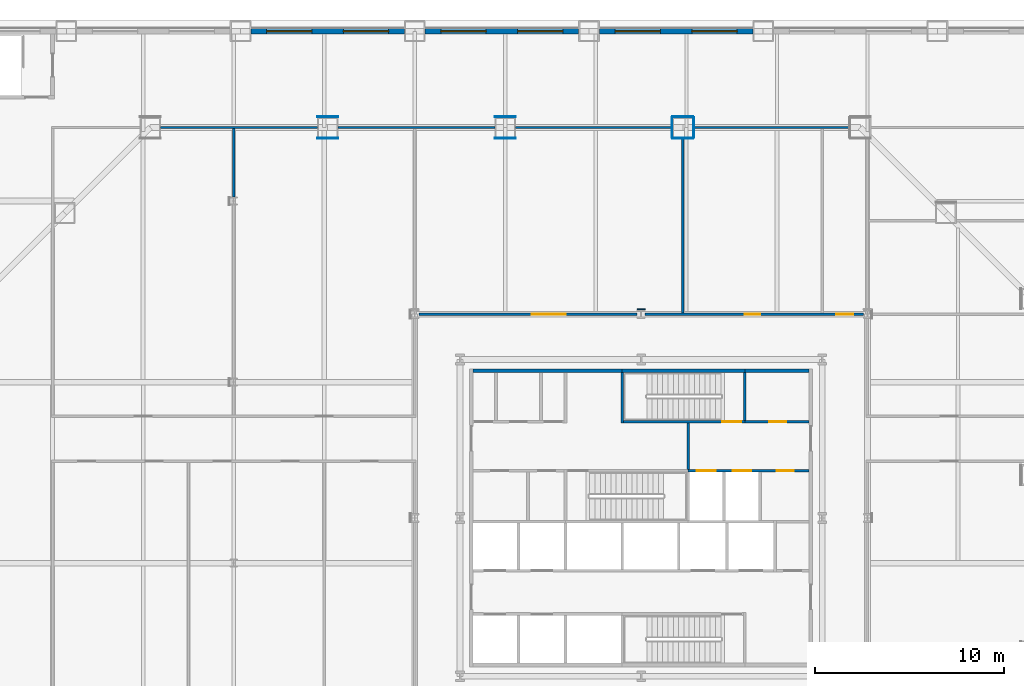
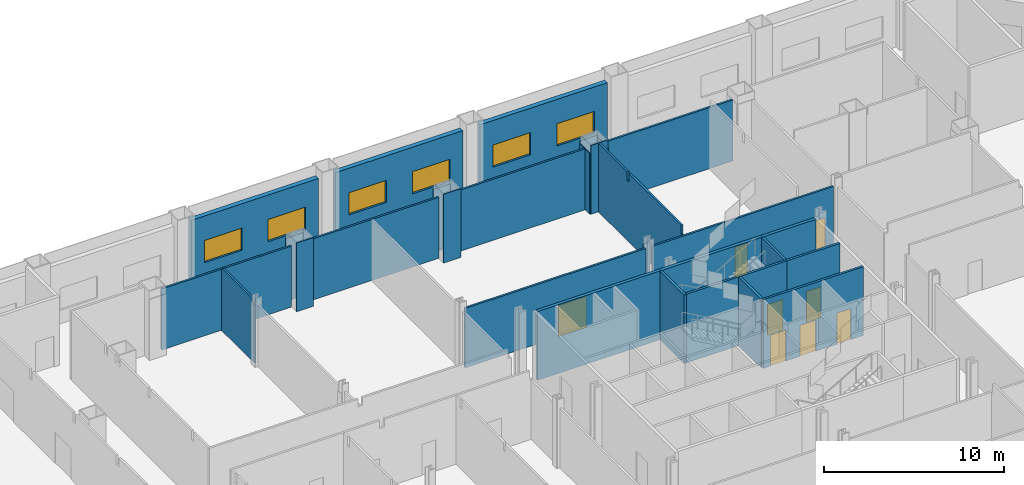
# One storey, part 13 of 22: 29 walls, 8 doors, 6 windows, 14 openings.
"""IFC4 building model written with IfcOpenShell, lengths in metres."""

from ifc_helpers import new_model, si_unit, direction, frame, frame_2d, origin, place, context, subcontext, project, spatial, polyline, rectangle, outline, extrude, material, layer, layer_set, type_object, element, fill, save


model = new_model("IFC4")

# Units and contexts
model_context = context("Model", 3, precision=1e-05, world=origin(), true_north=direction((0.0, 1.0)))
body_context = subcontext(model_context, "Body", "Model", "MODEL_VIEW")
ifc_project = project(units=[si_unit("LENGTHUNIT", "METRE"), si_unit("AREAUNIT", "SQUARE_METRE"), si_unit("VOLUMEUNIT", "CUBIC_METRE"), si_unit("PLANEANGLEUNIT", "RADIAN"), si_unit("MASSUNIT", "GRAM", prefix="KILO")], contexts=[model_context])

# Site, building, storey
site_placement = place(None, origin())
site = spatial("IfcSite", under=ifc_project, at=site_placement, CompositionType="ELEMENT")
building_placement = place(site_placement, origin())
building = spatial("IfcBuilding", under=site, at=building_placement, Name="Cairn Pilgrim Tower", CompositionType="ELEMENT")
storey_placement = place(building_placement, frame((0.0, 0.0, 35.39990234375)))
storey = spatial("IfcBuildingStorey", under=building, at=storey_placement, Name="L06", CompositionType="ELEMENT", Elevation=35.39990234375)

# Walls
ifc_material_1 = material(Name="Concrete C32/40", Category="concrete")
ifc_layer_1 = layer(ifc_material_1, 0.199951171875)
ifc_layer_set_1 = layer_set([ifc_layer_1], Name="CORE OUTER WALL 200 EI 120")
wall_type_1 = type_object("IfcWallType", Name="CORE OUTER WALL 200 EI 120", PredefinedType="SOLIDWALL", material=ifc_layer_set_1)
wall_1_placement = place(storey_placement, frame((-1.699951171875, 10.199951171875, 0.0), z_axis=(0.0, 0.0, 1.0), x_axis=(1.0, 0.0, 0.0)))
element("IfcWall", 1, at=wall_1_placement, inside=storey, type_object=wall_type_1, Name="CW:L06:H11-1", PredefinedType="SOLIDWALL", context=body_context, shape_type="SweptSolid", body=[
    extrude(rectangle(XDim=7.89990234375, YDim=0.199951171875, at=frame_2d((3.949951171875, 0.0))), origin(), (0.0, 0.0, 1.0), 4.650146484375),
])
wall_2_placement = place(storey_placement, frame((12.699951171875, 10.199951171875, 0.0), z_axis=(0.0, 0.0, 1.0), x_axis=(1.0, 0.0, 0.0)))
element("IfcWall", 2, at=wall_2_placement, inside=storey, type_object=wall_type_1, Name="CW:L06:H11-3", PredefinedType="SOLIDWALL", context=body_context, shape_type="SweptSolid", body=[
    extrude(rectangle(XDim=3.400146484375, YDim=0.199951171875, at=frame_2d((1.7001953125, 0.0))), origin(), (0.0, 0.0, 1.0), 4.650146484375),
])

# Wall, openings, doors
ifc_layer_2 = layer(ifc_material_1, 0.14990234375)
ifc_layer_set_2 = layer_set([ifc_layer_2], Name="CORE SHAFT WALL 150 EI 120")
wall_type_2 = type_object("IfcWallType", Name="CORE SHAFT WALL 150 EI 120", PredefinedType="SOLIDWALL", material=ifc_layer_set_2)
wall_3_placement = place(storey_placement, frame((9.699951171875, 4.89990234375, 0.0), z_axis=(0.0, 0.0, 1.0), x_axis=(1.0, 0.0, 0.0)))
wall_3 = element("IfcWall", 3, at=wall_3_placement, inside=storey, type_object=wall_type_2, Name="CW:L06:H08-2", PredefinedType="SOLIDWALL", context=body_context, shape_type="SweptSolid", body=[
    extrude(rectangle(XDim=6.400146484375, YDim=0.14990234375, at=frame_2d((3.2001953125, 0.0))), origin(), (0.0, 0.0, 1.0), 4.650146484375),
])
opening_1_placement = place(wall_3_placement, frame((0.449951171875, 0.0, 0.0)))
opening_1 = element("IfcOpeningElement", 4, at=opening_1_placement, cuts=wall_3, Name="Opening LD-FF1", PredefinedType="OPENING", context=body_context, shape_type="SweptSolid", body=[
    extrude(rectangle(XDim=1.0, YDim=2.10009765625, at=frame_2d((0.5, 1.050048828125))), frame((0.0, 0.0849609375, 0.0), z_axis=(0.0, -1.0, 0.0), x_axis=(1.0, 0.0, 0.0)), (0.0, 0.0, 1.0), 0.169921875),
])
opening_2_placement = place(wall_3_placement, frame((2.35009765625, 0.0, 0.0)))
opening_2 = element("IfcOpeningElement", 5, at=opening_2_placement, cuts=wall_3, Name="Opening LD-FF2", PredefinedType="OPENING", context=body_context, shape_type="SweptSolid", body=[
    extrude(rectangle(XDim=1.0, YDim=2.10009765625, at=frame_2d((0.5, 1.050048828125))), frame((0.0, 0.0849609375, 0.0), z_axis=(0.0, -1.0, 0.0), x_axis=(1.0, 0.0, 0.0)), (0.0, 0.0, 1.0), 0.169921875),
])
opening_3_placement = place(wall_3_placement, frame((4.699951171875, 0.0, 0.0)))
opening_3 = element("IfcOpeningElement", 6, at=opening_3_placement, cuts=wall_3, Name="Opening RD-R3E", PredefinedType="OPENING", context=body_context, shape_type="SweptSolid", body=[
    extrude(rectangle(XDim=0.89990234375, YDim=2.10009765625, at=frame_2d((0.449951171875, 1.050048828125))), frame((0.0, 0.0849609375, 0.0), z_axis=(0.0, -1.0, 0.0), x_axis=(1.0, 0.0, 0.0)), (0.0, 0.0, 1.0), 0.169921875),
])
ifc_material_2 = material(Name="Stainless steel", Category="steel")
door_type_1 = type_object("IfcDoorType", Name="LIFT LANDING DOOR FIRE 1000x2100", OperationType="DOUBLE_DOOR_SLIDING", PredefinedType="DOOR", material=ifc_material_2)
door_1_placement = place(opening_1_placement, origin())
door_1 = element("IfcDoor", 7, at=door_1_placement, inside=storey, type_object=door_type_1, Name="LANDING DOOR FF1", OperationType="DOUBLE_DOOR_SLIDING", OverallHeight=2.10009765625, OverallWidth=1.0, PredefinedType="DOOR", context=body_context, shape_type="SweptSolid", body=[
    extrude(rectangle(XDim=1.0, YDim=2.10009765625, at=frame_2d((0.5, 1.050048828125))), frame((0.0, 0.02490234375, 0.0), z_axis=(0.0, -1.0, 0.0), x_axis=(1.0, 0.0, 0.0)), (0.0, 0.0, 1.0), 0.050048828125),
])
fill(opening_1, door_1)
door_2_placement = place(opening_2_placement, origin())
door_2 = element("IfcDoor", 8, at=door_2_placement, inside=storey, type_object=door_type_1, Name="LANDING DOOR FF2", OperationType="DOUBLE_DOOR_SLIDING", OverallHeight=2.10009765625, OverallWidth=1.0, PredefinedType="DOOR", context=body_context, shape_type="SweptSolid", body=[
    extrude(rectangle(XDim=1.0, YDim=2.10009765625, at=frame_2d((0.5, 1.050048828125))), frame((0.0, 0.02490234375, 0.0), z_axis=(0.0, -1.0, 0.0), x_axis=(1.0, 0.0, 0.0)), (0.0, 0.0, 1.0), 0.050048828125),
])
fill(opening_2, door_2)
ifc_material_3 = material(Name="Painted steel", Category="steel")
door_type_2 = type_object("IfcDoorType", Name="SERVICE ROOM DOOR 900x2100", OperationType="SINGLE_SWING_LEFT", PredefinedType="DOOR", material=ifc_material_3)
door_3_placement = place(opening_3_placement, origin())
door_3 = element("IfcDoor", 9, at=door_3_placement, inside=storey, type_object=door_type_2, Name="RD-R3E", OperationType="SINGLE_SWING_RIGHT", OverallHeight=2.10009765625, OverallWidth=0.89990234375, PredefinedType="DOOR", context=body_context, shape_type="SweptSolid", body=[
    extrude(rectangle(XDim=0.89990234375, YDim=2.10009765625, at=frame_2d((0.449951171875, 1.050048828125))), frame((0.0, 0.02490234375, 0.0), z_axis=(0.0, -1.0, 0.0), x_axis=(1.0, 0.0, 0.0)), (0.0, 0.0, 1.0), 0.050048828125),
])
fill(opening_3, door_3)

# Wall, opening, door
wall_4_placement = place(storey_placement, frame((12.699951171875, 7.5, 0.0), z_axis=(0.0, 0.0, 1.0), x_axis=(1.0, 0.0, 0.0)))
wall_4 = element("IfcWall", 10, at=wall_4_placement, inside=storey, type_object=wall_type_2, Name="CW:L06:H10-2", PredefinedType="SOLIDWALL", context=body_context, shape_type="SweptSolid", body=[
    extrude(rectangle(XDim=3.400146484375, YDim=0.14990234375, at=frame_2d((1.7001953125, 0.0))), origin(), (0.0, 0.0, 1.0), 4.650146484375),
])
opening_4_placement = place(wall_4_placement, frame((1.300048828125, 0.0, 0.0)))
opening_4 = element("IfcOpeningElement", 11, at=opening_4_placement, cuts=wall_4, Name="Opening RD-R4E", PredefinedType="OPENING", context=body_context, shape_type="SweptSolid", body=[
    extrude(rectangle(XDim=0.89990234375, YDim=2.10009765625, at=frame_2d((0.449951171875, 1.050048828125))), frame((0.0, 0.0849609375, 0.0), z_axis=(0.0, -1.0, 0.0), x_axis=(1.0, 0.0, 0.0)), (0.0, 0.0, 1.0), 0.169921875),
])
door_4_placement = place(opening_4_placement, origin())
door_4 = element("IfcDoor", 12, at=door_4_placement, inside=storey, type_object=door_type_2, Name="RD-R4E", OperationType="SINGLE_SWING_LEFT", OverallHeight=2.10009765625, OverallWidth=0.89990234375, PredefinedType="DOOR", context=body_context, shape_type="SweptSolid", body=[
    extrude(rectangle(XDim=0.89990234375, YDim=2.10009765625, at=frame_2d((0.449951171875, 1.050048828125))), frame((0.0, 0.02490234375, 0.0), z_axis=(0.0, -1.0, 0.0), x_axis=(1.0, 0.0, 0.0)), (0.0, 0.0, 1.0), 0.050048828125),
])
fill(opening_4, door_4)

# Wall
wall_5_placement = place(storey_placement, frame((9.699951171875, 4.97509765625, 0.0), z_axis=(0.0, 0.0, 1.0), x_axis=(0.0, 1.0, 0.0)))
element("IfcWall", 13, at=wall_5_placement, inside=storey, type_object=wall_type_2, Name="CW:L06:V27", PredefinedType="SOLIDWALL", context=body_context, shape_type="SweptSolid", body=[
    extrude(rectangle(XDim=2.449951171875, YDim=0.14990234375, at=frame_2d((1.22509765625, 0.0))), origin(), (0.0, 0.0, 1.0), 4.650146484375),
])

# Wall, opening, door
ifc_material_4 = material(Name="Gypsum partition")
ifc_layer_3 = layer(ifc_material_4, 0.125)
ifc_layer_set_3 = layer_set([ifc_layer_3], Name="PARTITION 125 DRYWALL EI 60")
wall_type_3 = type_object("IfcWallType", Name="PARTITION 125 DRYWALL EI 60", PredefinedType="PARTITIONING", material=ifc_layer_set_3)
wall_6_placement = place(storey_placement, frame((-4.587890625, 13.199951171875, 0.0), z_axis=(0.0, 0.0, 1.0), x_axis=(1.0, 0.0, 0.0)))
wall_6 = element("IfcWall", 14, at=wall_6_placement, inside=storey, type_object=wall_type_3, Name="PARTITION W056", PredefinedType="PARTITIONING", context=body_context, shape_type="SweptSolid", body=[
    extrude(rectangle(XDim=11.575927734375, YDim=0.125, at=frame_2d((5.7880859375, 0.0))), origin(), (0.0, 0.0, 1.0), 4.030029296875),
])
opening_5_placement = place(wall_6_placement, frame((5.992919921875, 0.0, 0.0)))
opening_5 = element("IfcOpeningElement", 15, at=opening_5_placement, cuts=wall_6, Name="Opening 0608", PredefinedType="OPENING", context=body_context, shape_type="SweptSolid", body=[
    extrude(rectangle(XDim=1.800048828125, YDim=2.10009765625, at=frame_2d((0.89990234375, 1.050048828125))), frame((0.0, 0.072509765625, 0.0), z_axis=(0.0, -1.0, 0.0), x_axis=(1.0, 0.0, 0.0)), (0.0, 0.0, 1.0), 0.14501953125),
])
ifc_material_5 = material(Name="Timber door leaf", Category="wood")
door_type_3 = type_object("IfcDoorType", Name="DOOR PAIR 1800x2100 FD60S", OperationType="NOTDEFINED", PredefinedType="DOOR", material=ifc_material_5)
door_5_placement = place(opening_5_placement, frame((1.800048828125, 0.0, 0.0), z_axis=(0.0, 0.0, 1.0), x_axis=(-1.0, 0.0, 0.0)))
door_5 = element("IfcDoor", 16, at=door_5_placement, inside=storey, type_object=door_type_3, Name="DOOR 0608", OperationType="DOUBLE_DOOR_SINGLE_SWING", OverallHeight=2.10009765625, OverallWidth=1.800048828125, PredefinedType="DOOR", context=body_context, shape_type="SweptSolid", body=[
    extrude(rectangle(XDim=1.800048828125, YDim=2.10009765625, at=frame_2d((0.89990234375, 1.050048828125))), frame((0.0, 0.02490234375, 0.0), z_axis=(0.0, -1.0, 0.0), x_axis=(1.0, 0.0, 0.0)), (0.0, 0.0, 1.0), 0.050048828125),
])
fill(opening_5, door_5)

# Wall, openings, doors
wall_7_placement = place(storey_placement, frame((7.412109375, 13.199951171875, 0.0), z_axis=(0.0, 0.0, 1.0), x_axis=(1.0, 0.0, 0.0)))
wall_7 = element("IfcWall", 17, at=wall_7_placement, inside=storey, type_object=wall_type_3, Name="PARTITION W057", PredefinedType="PARTITIONING", context=body_context, shape_type="SweptSolid", body=[
    extrude(rectangle(XDim=11.575927734375, YDim=0.125, at=frame_2d((5.7880859375, 0.0))), origin(), (0.0, 0.0, 1.0), 4.030029296875),
])
opening_6_placement = place(wall_7_placement, frame((5.29296875, 0.0, 0.0)))
opening_6 = element("IfcOpeningElement", 18, at=opening_6_placement, cuts=wall_7, Name="Opening 0609", PredefinedType="OPENING", context=body_context, shape_type="SweptSolid", body=[
    extrude(rectangle(XDim=0.800048828125, YDim=2.10009765625, at=frame_2d((0.39990234375, 1.050048828125))), frame((0.0, 0.072509765625, 0.0), z_axis=(0.0, -1.0, 0.0), x_axis=(1.0, 0.0, 0.0)), (0.0, 0.0, 1.0), 0.14501953125),
])
opening_7_placement = place(wall_7_placement, frame((10.137939453125, 0.0, 0.0)))
opening_7 = element("IfcOpeningElement", 19, at=opening_7_placement, cuts=wall_7, Name="Opening 0610", PredefinedType="OPENING", context=body_context, shape_type="SweptSolid", body=[
    extrude(rectangle(XDim=0.89990234375, YDim=2.10009765625, at=frame_2d((0.449951171875, 1.050048828125))), frame((0.0, 0.072509765625, 0.0), z_axis=(0.0, -1.0, 0.0), x_axis=(1.0, 0.0, 0.0)), (0.0, 0.0, 1.0), 0.14501953125),
])
door_type_4 = type_object("IfcDoorType", Name="SERVICE DOOR 900x2100 FD30S", OperationType="NOTDEFINED", PredefinedType="DOOR", material=ifc_material_5)
door_6_placement = place(opening_7_placement, frame((0.89990234375, 0.0, 0.0), z_axis=(0.0, 0.0, 1.0), x_axis=(-1.0, 0.0, 0.0)))
door_6 = element("IfcDoor", 20, at=door_6_placement, inside=storey, type_object=door_type_4, Name="DOOR 0610", OperationType="SINGLE_SWING_LEFT", OverallHeight=2.10009765625, OverallWidth=0.89990234375, PredefinedType="DOOR", context=body_context, shape_type="SweptSolid", body=[
    extrude(rectangle(XDim=0.89990234375, YDim=2.10009765625, at=frame_2d((0.449951171875, 1.050048828125))), frame((0.0, 0.02490234375, 0.0), z_axis=(0.0, -1.0, 0.0), x_axis=(1.0, 0.0, 0.0)), (0.0, 0.0, 1.0), 0.050048828125),
])
fill(opening_7, door_6)
door_type_5 = type_object("IfcDoorType", Name="WC DOOR 800x2100 FD30S", OperationType="NOTDEFINED", PredefinedType="DOOR", material=ifc_material_5)
door_7_placement = place(opening_6_placement, frame((0.800048828125, 0.0, 0.0), z_axis=(0.0, 0.0, 1.0), x_axis=(-1.0, 0.0, 0.0)))
door_7 = element("IfcDoor", 21, at=door_7_placement, inside=storey, type_object=door_type_5, Name="DOOR 0609", OperationType="SINGLE_SWING_LEFT", OverallHeight=2.10009765625, OverallWidth=0.800048828125, PredefinedType="DOOR", context=body_context, shape_type="SweptSolid", body=[
    extrude(rectangle(XDim=0.800048828125, YDim=2.10009765625, at=frame_2d((0.39990234375, 1.050048828125))), frame((0.0, 0.02490234375, 0.0), z_axis=(0.0, -1.0, 0.0), x_axis=(1.0, 0.0, 0.0)), (0.0, 0.0, 1.0), 0.050048828125),
])
fill(opening_6, door_7)

# Walls
wall_8_placement = place(storey_placement, frame((9.409912109375, 13.262451171875, 0.0), z_axis=(0.0, 0.0, 1.0), x_axis=(0.0, 1.0, 0.0)))
element("IfcWall", 22, at=wall_8_placement, inside=storey, type_object=wall_type_3, Name="PARTITION W059", PredefinedType="PARTITIONING", context=body_context, shape_type="SweptSolid", body=[
    extrude(outline(polyline([(0.0, 0.0), (9.28759765625, 0.0), (9.28759765625, 4.650146484375), (6.04248046875, 4.650146484375), (6.04052734375, 4.080078125), (5.83251953125, 4.080078125), (5.83056640625, 4.650146484375), (0.08740234375, 4.650146484375), (0.08544921875, 4.030029296875), (0.0, 4.030029296875), (0.0, 0.0)])), frame((0.0, 0.0625, 0.0), z_axis=(0.0, -1.0, 0.0), x_axis=(1.0, 0.0, 0.0)), (0.0, 0.0, 1.0), 0.125),
])
wall_9_placement = place(storey_placement, frame((-14.39990234375, 19.41259765625, 0.0), z_axis=(0.0, 0.0, 1.0), x_axis=(0.0, 1.0, 0.0)))
element("IfcWall", 23, at=wall_9_placement, inside=storey, type_object=wall_type_3, Name="PARTITION W069", PredefinedType="PARTITIONING", context=body_context, shape_type="SweptSolid", body=[
    extrude(outline(polyline([(0.0, 0.0), (3.625, 0.0), (3.625, 4.130126953125), (3.53759765625, 4.130126953125), (3.535400390625, 4.22998046875), (0.0, 4.22998046875), (0.0, 0.0)])), frame((0.0, 0.0625, 0.0), z_axis=(0.0, -1.0, 0.0), x_axis=(1.0, 0.0, 0.0)), (0.0, 0.0, 1.0), 0.125),
])
for number, where, z_axis, x_axis, name in (
    (24, (-18.277099609375, 23.10009765625, 0.0), (0.0, 0.0, 1.0), (1.0, 0.0, 0.0), "PARTITION W071"),
    (25, (-8.863525390625, 23.10009765625, 0.0), (0.0, 0.0, 1.0), (1.0, 0.0, 0.0), "PARTITION W072"),
    (26, (0.550048828125, 23.10009765625, 0.0), (0.0, 0.0, 1.0), (1.0, 0.0, 0.0), "PARTITION W073"),
    (27, (9.963623046875, 23.10009765625, 0.0), (0.0, 0.0, 1.0), (1.0, 0.0, 0.0), "PARTITION W074"),
):
    element("IfcWall", number, at=place(storey_placement, frame(where, z_axis=z_axis, x_axis=x_axis)), inside=storey, type_object=wall_type_3, Name=name, PredefinedType="PARTITIONING", context=body_context, shape_type="SweptSolid", body=[
        extrude(rectangle(XDim=8.3134765625, YDim=0.125, at=frame_2d((4.15673828125, 0.0))), origin(), (0.0, 0.0, 1.0), 4.130126953125),
    ])
ifc_layer_4 = layer(ifc_material_4, 0.050048828125)
ifc_layer_set_4 = layer_set([ifc_layer_4], Name="PARTITION 50 DRYWALL EI 60")
wall_type_4 = type_object("IfcWallType", Name="PARTITION 50 DRYWALL EI 60", PredefinedType="PARTITIONING", material=ifc_layer_set_4)
wall_10_placement = place(storey_placement, frame((6.988037109375, 13.4619140625, 0.0), z_axis=(0.0, 0.0, 1.0), x_axis=(1.0, 0.0, 0.0)))
element("IfcWall", 28, at=wall_10_placement, inside=storey, type_object=wall_type_4, Name="COLUMN CASING WC35", PredefinedType="PARTITIONING", context=body_context, shape_type="SweptSolid", body=[
    extrude(rectangle(XDim=0.424072265625, YDim=0.050048828125, at=frame_2d((0.2119140625, 0.0))), origin(), (0.0, 0.0, 1.0), 4.130126953125),
])
for number, where, z_axis, x_axis, name in (
    (29, (9.988525390625, 22.550048828125, 0.0), (0.0, 0.0, 1.0), (0.0, 1.0, 0.0), "COLUMN CASING WC37"),
    (30, (8.838623046875, 22.550048828125, 0.0), (0.0, 0.0, 1.0), (0.0, 1.0, 0.0), "COLUMN CASING WC38"),
):
    element("IfcWall", number, at=place(storey_placement, frame(where, z_axis=z_axis, x_axis=x_axis)), inside=storey, type_object=wall_type_4, Name=name, PredefinedType="PARTITIONING", context=body_context, shape_type="SweptSolid", body=[
        extrude(rectangle(XDim=1.099853515625, YDim=0.050048828125, at=frame_2d((0.5498046875, 0.0))), origin(), (0.0, 0.0, 1.0), 4.130126953125),
    ])
wall_11_placement = place(storey_placement, frame((-9.963623046875, 22.52490234375, 0.0), z_axis=(0.0, 0.0, 1.0), x_axis=(1.0, 0.0, 0.0)))
element("IfcWall", 31, at=wall_11_placement, inside=storey, type_object=wall_type_4, Name="COLUMN CASING WC43", PredefinedType="PARTITIONING", context=body_context, shape_type="SweptSolid", body=[
    extrude(rectangle(XDim=1.10009765625, YDim=0.050048828125, at=frame_2d((0.550048828125, 0.0))), origin(), (0.0, 0.0, 1.0), 4.650146484375),
])
wall_12_placement = place(storey_placement, frame((-9.963623046875, 23.675048828125, 0.0), z_axis=(0.0, 0.0, 1.0), x_axis=(1.0, 0.0, 0.0)))
element("IfcWall", 32, at=wall_12_placement, inside=storey, type_object=wall_type_4, Name="COLUMN CASING WC44", PredefinedType="PARTITIONING", context=body_context, shape_type="SweptSolid", body=[
    extrude(rectangle(XDim=1.10009765625, YDim=0.050048828125, at=frame_2d((0.550048828125, 0.0))), origin(), (0.0, 0.0, 1.0), 4.27001953125),
])
wall_13_placement = place(storey_placement, frame((-0.550048828125, 22.52490234375, 0.0), z_axis=(0.0, 0.0, 1.0), x_axis=(1.0, 0.0, 0.0)))
element("IfcWall", 33, at=wall_13_placement, inside=storey, type_object=wall_type_4, Name="COLUMN CASING WC45", PredefinedType="PARTITIONING", context=body_context, shape_type="SweptSolid", body=[
    extrude(rectangle(XDim=1.10009765625, YDim=0.050048828125, at=frame_2d((0.550048828125, 0.0))), origin(), (0.0, 0.0, 1.0), 4.650146484375),
])
for number, where, z_axis, x_axis, name in (
    (34, (-0.550048828125, 23.675048828125, 0.0), (0.0, 0.0, 1.0), (1.0, 0.0, 0.0), "COLUMN CASING WC46"),
    (35, (8.863525390625, 23.675048828125, 0.0), (0.0, 0.0, 1.0), (1.0, 0.0, 0.0), "COLUMN CASING WC47"),
):
    element("IfcWall", number, at=place(storey_placement, frame(where, z_axis=z_axis, x_axis=x_axis)), inside=storey, type_object=wall_type_4, Name=name, PredefinedType="PARTITIONING", context=body_context, shape_type="SweptSolid", body=[
        extrude(rectangle(XDim=1.10009765625, YDim=0.050048828125, at=frame_2d((0.550048828125, 0.0))), origin(), (0.0, 0.0, 1.0), 4.27001953125),
    ])
wall_14_placement = place(storey_placement, frame((8.863525390625, 22.52490234375, 0.0), z_axis=(0.0, 0.0, 1.0), x_axis=(1.0, 0.0, 0.0)))
element("IfcWall", 36, at=wall_14_placement, inside=storey, type_object=wall_type_4, Name="COLUMN CASING WC48", PredefinedType="PARTITIONING", context=body_context, shape_type="SweptSolid", body=[
    extrude(rectangle(XDim=1.10009765625, YDim=0.050048828125, at=frame_2d((0.550048828125, 0.0))), origin(), (0.0, 0.0, 1.0), 4.650146484375),
])

# Wall, openings, windows
ifc_material_6 = material(Name="Concrete C35/45 backup wall with bronze aluminium cladding", Category="concrete")
ifc_layer_5 = layer(ifc_material_6, 0.300048828125)
ifc_layer_set_5 = layer_set([ifc_layer_5], Name="PODIUM WALL 300 BRONZE-CLAD")
wall_type_5 = type_object("IfcWallType", Name="PODIUM WALL 300 BRONZE-CLAD", PredefinedType="SOLIDWALL", material=ifc_layer_set_5)
wall_15_placement = place(storey_placement, frame((13.125732421875, 28.199951171875, 0.0), z_axis=(0.0, 0.0, 1.0), x_axis=(-1.0, 0.0, 0.0)))
wall_15 = element("IfcWall", 37, at=wall_15_placement, inside=storey, type_object=wall_type_5, Name="PODIUM EXTERNAL WALL N3-N4", PredefinedType="SOLIDWALL", context=body_context, shape_type="SweptSolid", body=[
    extrude(rectangle(XDim=8.137939453125, YDim=0.300048828125, at=frame_2d((4.06884765625, 0.0))), origin(), (0.0, 0.0, 1.0), 4.050048828125),
])
opening_8_placement = place(wall_15_placement, frame((0.83447265625, 0.0, 0.89990234375)))
opening_8 = element("IfcOpeningElement", 38, at=opening_8_placement, cuts=wall_15, Name="Opening PW15", PredefinedType="OPENING", context=body_context, shape_type="SweptSolid", body=[
    extrude(rectangle(XDim=2.39990234375, YDim=1.5, at=frame_2d((1.199951171875, 0.75))), frame((0.0, 0.16015625, 0.0), z_axis=(0.0, -1.0, 0.0), x_axis=(1.0, 0.0, 0.0)), (0.0, 0.0, 1.0), 0.320068359375),
])
opening_9_placement = place(wall_15_placement, frame((4.9033203125, 0.0, 0.89990234375)))
opening_9 = element("IfcOpeningElement", 39, at=opening_9_placement, cuts=wall_15, Name="Opening PW15", PredefinedType="OPENING", context=body_context, shape_type="SweptSolid", body=[
    extrude(rectangle(XDim=2.39990234375, YDim=1.5, at=frame_2d((1.199951171875, 0.75))), frame((0.0, 0.16015625, 0.0), z_axis=(0.0, -1.0, 0.0), x_axis=(1.0, 0.0, 0.0)), (0.0, 0.0, 1.0), 0.320068359375),
])
ifc_material_7 = material(Name="Bronze anodised aluminium frame with tinted low-E glass", Category="aluminium")
window_type = type_object("IfcWindowType", Name="PODIUM FIXED WINDOW 2400x1500", PartitioningType="SINGLE_PANEL", PredefinedType="WINDOW", material=ifc_material_7)
window_1_placement = place(opening_8_placement, origin())
window_1 = element("IfcWindow", 40, at=window_1_placement, inside=storey, type_object=window_type, Name="PODIUM WINDOW", OverallHeight=1.5, OverallWidth=2.39990234375, PartitioningType="SINGLE_PANEL", PredefinedType="WINDOW", context=body_context, shape_type="SweptSolid", body=[
    extrude(rectangle(XDim=2.39990234375, YDim=1.5, at=frame_2d((1.199951171875, 0.75))), frame((0.0, 0.030029296875, 0.0), z_axis=(0.0, -1.0, 0.0), x_axis=(1.0, 0.0, 0.0)), (0.0, 0.0, 1.0), 0.06005859375),
])
fill(opening_8, window_1)
window_2_placement = place(opening_9_placement, origin())
window_2 = element("IfcWindow", 41, at=window_2_placement, inside=storey, type_object=window_type, Name="PODIUM WINDOW", OverallHeight=1.5, OverallWidth=2.39990234375, PartitioningType="SINGLE_PANEL", PredefinedType="WINDOW", context=body_context, shape_type="SweptSolid", body=[
    extrude(rectangle(XDim=2.39990234375, YDim=1.5, at=frame_2d((1.199951171875, 0.75))), frame((0.0, 0.030029296875, 0.0), z_axis=(0.0, -1.0, 0.0), x_axis=(1.0, 0.0, 0.0)), (0.0, 0.0, 1.0), 0.06005859375),
])
fill(opening_9, window_2)

wall_16_placement = place(storey_placement, frame((3.887939453125, 28.199951171875, 0.0), z_axis=(0.0, 0.0, 1.0), x_axis=(-1.0, 0.0, 0.0)))
wall_16 = element("IfcWall", 42, at=wall_16_placement, inside=storey, type_object=wall_type_5, Name="PODIUM EXTERNAL WALL N4-N5", PredefinedType="SOLIDWALL", context=body_context, shape_type="SweptSolid", body=[
    extrude(rectangle(XDim=8.137939453125, YDim=0.300048828125, at=frame_2d((4.06884765625, 0.0))), origin(), (0.0, 0.0, 1.0), 4.050048828125),
])
opening_10_placement = place(wall_16_placement, frame((0.83447265625, 0.0, 0.89990234375)))
opening_10 = element("IfcOpeningElement", 43, at=opening_10_placement, cuts=wall_16, Name="Opening PW15", PredefinedType="OPENING", context=body_context, shape_type="SweptSolid", body=[
    extrude(rectangle(XDim=2.39990234375, YDim=1.5, at=frame_2d((1.199951171875, 0.75))), frame((0.0, 0.16015625, 0.0), z_axis=(0.0, -1.0, 0.0), x_axis=(1.0, 0.0, 0.0)), (0.0, 0.0, 1.0), 0.320068359375),
])
opening_11_placement = place(wall_16_placement, frame((4.9033203125, 0.0, 0.89990234375)))
opening_11 = element("IfcOpeningElement", 44, at=opening_11_placement, cuts=wall_16, Name="Opening PW15", PredefinedType="OPENING", context=body_context, shape_type="SweptSolid", body=[
    extrude(rectangle(XDim=2.39990234375, YDim=1.5, at=frame_2d((1.199951171875, 0.75))), frame((0.0, 0.16015625, 0.0), z_axis=(0.0, -1.0, 0.0), x_axis=(1.0, 0.0, 0.0)), (0.0, 0.0, 1.0), 0.320068359375),
])
window_3_placement = place(opening_10_placement, origin())
window_3 = element("IfcWindow", 45, at=window_3_placement, inside=storey, type_object=window_type, Name="PODIUM WINDOW", OverallHeight=1.5, OverallWidth=2.39990234375, PartitioningType="SINGLE_PANEL", PredefinedType="WINDOW", context=body_context, shape_type="SweptSolid", body=[
    extrude(rectangle(XDim=2.39990234375, YDim=1.5, at=frame_2d((1.199951171875, 0.75))), frame((0.0, 0.030029296875, 0.0), z_axis=(0.0, -1.0, 0.0), x_axis=(1.0, 0.0, 0.0)), (0.0, 0.0, 1.0), 0.06005859375),
])
fill(opening_10, window_3)
window_4_placement = place(opening_11_placement, origin())
window_4 = element("IfcWindow", 46, at=window_4_placement, inside=storey, type_object=window_type, Name="PODIUM WINDOW", OverallHeight=1.5, OverallWidth=2.39990234375, PartitioningType="SINGLE_PANEL", PredefinedType="WINDOW", context=body_context, shape_type="SweptSolid", body=[
    extrude(rectangle(XDim=2.39990234375, YDim=1.5, at=frame_2d((1.199951171875, 0.75))), frame((0.0, 0.030029296875, 0.0), z_axis=(0.0, -1.0, 0.0), x_axis=(1.0, 0.0, 0.0)), (0.0, 0.0, 1.0), 0.06005859375),
])
fill(opening_11, window_4)

wall_17_placement = place(storey_placement, frame((-5.35009765625, 28.199951171875, 0.0), z_axis=(0.0, 0.0, 1.0), x_axis=(-1.0, 0.0, 0.0)))
wall_17 = element("IfcWall", 47, at=wall_17_placement, inside=storey, type_object=wall_type_5, Name="PODIUM EXTERNAL WALL N5-N6", PredefinedType="SOLIDWALL", context=body_context, shape_type="SweptSolid", body=[
    extrude(rectangle(XDim=8.1376953125, YDim=0.300048828125, at=frame_2d((4.06884765625, 0.0))), origin(), (0.0, 0.0, 1.0), 4.050048828125),
])
opening_12_placement = place(wall_17_placement, frame((0.83447265625, 0.0, 0.89990234375)))
opening_12 = element("IfcOpeningElement", 48, at=opening_12_placement, cuts=wall_17, Name="Opening PW15", PredefinedType="OPENING", context=body_context, shape_type="SweptSolid", body=[
    extrude(rectangle(XDim=2.39990234375, YDim=1.5, at=frame_2d((1.199951171875, 0.75))), frame((0.0, 0.16015625, 0.0), z_axis=(0.0, -1.0, 0.0), x_axis=(1.0, 0.0, 0.0)), (0.0, 0.0, 1.0), 0.320068359375),
])
opening_13_placement = place(wall_17_placement, frame((4.9033203125, 0.0, 0.89990234375)))
opening_13 = element("IfcOpeningElement", 49, at=opening_13_placement, cuts=wall_17, Name="Opening PW15", PredefinedType="OPENING", context=body_context, shape_type="SweptSolid", body=[
    extrude(rectangle(XDim=2.39990234375, YDim=1.5, at=frame_2d((1.199951171875, 0.75))), frame((0.0, 0.16015625, 0.0), z_axis=(0.0, -1.0, 0.0), x_axis=(1.0, 0.0, 0.0)), (0.0, 0.0, 1.0), 0.320068359375),
])
window_5_placement = place(opening_12_placement, origin())
window_5 = element("IfcWindow", 50, at=window_5_placement, inside=storey, type_object=window_type, Name="PODIUM WINDOW", OverallHeight=1.5, OverallWidth=2.39990234375, PartitioningType="SINGLE_PANEL", PredefinedType="WINDOW", context=body_context, shape_type="SweptSolid", body=[
    extrude(rectangle(XDim=2.39990234375, YDim=1.5, at=frame_2d((1.199951171875, 0.75))), frame((0.0, 0.030029296875, 0.0), z_axis=(0.0, -1.0, 0.0), x_axis=(1.0, 0.0, 0.0)), (0.0, 0.0, 1.0), 0.06005859375),
])
fill(opening_12, window_5)
window_6_placement = place(opening_13_placement, origin())
window_6 = element("IfcWindow", 51, at=window_6_placement, inside=storey, type_object=window_type, Name="PODIUM WINDOW", OverallHeight=1.5, OverallWidth=2.39990234375, PartitioningType="SINGLE_PANEL", PredefinedType="WINDOW", context=body_context, shape_type="SweptSolid", body=[
    extrude(rectangle(XDim=2.39990234375, YDim=1.5, at=frame_2d((1.199951171875, 0.75))), frame((0.0, 0.030029296875, 0.0), z_axis=(0.0, -1.0, 0.0), x_axis=(1.0, 0.0, 0.0)), (0.0, 0.0, 1.0), 0.06005859375),
])
fill(opening_13, window_6)

# Wall, opening, door
ifc_material_8 = material(Name="Concrete C35/45", Category="concrete")
ifc_layer_6 = layer(ifc_material_8, 0.14990234375)
ifc_layer_set_6 = layer_set([ifc_layer_6], Name="STAIR SHAFT WALL 150 EI 120")
wall_type_6 = type_object("IfcWallType", Name="STAIR SHAFT WALL 150 EI 120", PredefinedType="SOLIDWALL", material=ifc_layer_set_6)
wall_18_placement = place(storey_placement, frame((6.27490234375, 7.5, 0.0), z_axis=(0.0, 0.0, 1.0), x_axis=(1.0, 0.0, 0.0)))
wall_18 = element("IfcWall", 52, at=wall_18_placement, inside=storey, type_object=wall_type_6, Name="CW:L06:H10-1", PredefinedType="SOLIDWALL", context=body_context, shape_type="SweptSolid", body=[
    extrude(rectangle(XDim=6.425048828125, YDim=0.14990234375, at=frame_2d((3.21240234375, 0.0))), origin(), (0.0, 0.0, 1.0), 4.650146484375),
])
opening_14_placement = place(wall_18_placement, frame((5.22509765625, 0.0, 0.0)))
opening_14 = element("IfcOpeningElement", 53, at=opening_14_placement, cuts=wall_18, Name="Opening SD-C", PredefinedType="OPENING", context=body_context, shape_type="SweptSolid", body=[
    extrude(rectangle(XDim=1.0, YDim=2.10009765625, at=frame_2d((0.5, 1.050048828125))), frame((0.0, 0.0849609375, 0.0), z_axis=(0.0, -1.0, 0.0), x_axis=(1.0, 0.0, 0.0)), (0.0, 0.0, 1.0), 0.169921875),
])
door_type_6 = type_object("IfcDoorType", Name="STAIR DOOR FD60S 1000x2100", OperationType="SINGLE_SWING_LEFT", PredefinedType="DOOR", material=ifc_material_3)
door_8_placement = place(opening_14_placement, origin())
door_8 = element("IfcDoor", 54, at=door_8_placement, inside=storey, type_object=door_type_6, Name="SD-C", OperationType="SINGLE_SWING_RIGHT", OverallHeight=2.10009765625, OverallWidth=1.0, PredefinedType="DOOR", context=body_context, shape_type="SweptSolid", body=[
    extrude(rectangle(XDim=1.0, YDim=2.10009765625, at=frame_2d((0.5, 1.050048828125))), frame((0.0, 0.02490234375, 0.0), z_axis=(0.0, -1.0, 0.0), x_axis=(1.0, 0.0, 0.0)), (0.0, 0.0, 1.0), 0.050048828125),
])
fill(opening_14, door_8)

# Walls
wall_19_placement = place(storey_placement, frame((6.199951171875, 7.425048828125, 0.0), z_axis=(0.0, 0.0, 1.0), x_axis=(0.0, 1.0, 0.0)))
element("IfcWall", 55, at=wall_19_placement, inside=storey, type_object=wall_type_6, Name="CW:L06:V24", PredefinedType="SOLIDWALL", context=body_context, shape_type="SweptSolid", body=[
    extrude(rectangle(XDim=2.675048828125, YDim=0.14990234375, at=frame_2d((1.33740234375, 0.0))), origin(), (0.0, 0.0, 1.0), 4.650146484375),
])
wall_20_placement = place(storey_placement, frame((12.699951171875, 7.574951171875, 0.0), z_axis=(0.0, 0.0, 1.0), x_axis=(0.0, 1.0, 0.0)))
element("IfcWall", 56, at=wall_20_placement, inside=storey, type_object=wall_type_6, Name="CW:L06:V31", PredefinedType="SOLIDWALL", context=body_context, shape_type="SweptSolid", body=[
    extrude(rectangle(XDim=2.525146484375, YDim=0.14990234375, at=frame_2d((1.2626953125, 0.0))), origin(), (0.0, 0.0, 1.0), 4.650146484375),
])
ifc_layer_7 = layer(ifc_material_8, 0.199951171875)
ifc_layer_set_7 = layer_set([ifc_layer_7], Name="STAIR SHAFT WALL 200 EI 120")
wall_type_7 = type_object("IfcWallType", Name="STAIR SHAFT WALL 200 EI 120", PredefinedType="SOLIDWALL", material=ifc_layer_set_7)
wall_21_placement = place(storey_placement, frame((6.199951171875, 10.199951171875, 0.0), z_axis=(0.0, 0.0, 1.0), x_axis=(1.0, 0.0, 0.0)))
element("IfcWall", 57, at=wall_21_placement, inside=storey, type_object=wall_type_7, Name="CW:L06:H11-2", PredefinedType="SOLIDWALL", context=body_context, shape_type="SweptSolid", body=[
    extrude(rectangle(XDim=6.5, YDim=0.199951171875, at=frame_2d((3.25, 0.0))), origin(), (0.0, 0.0, 1.0), 4.650146484375),
])

save(model, "model.ifc")
